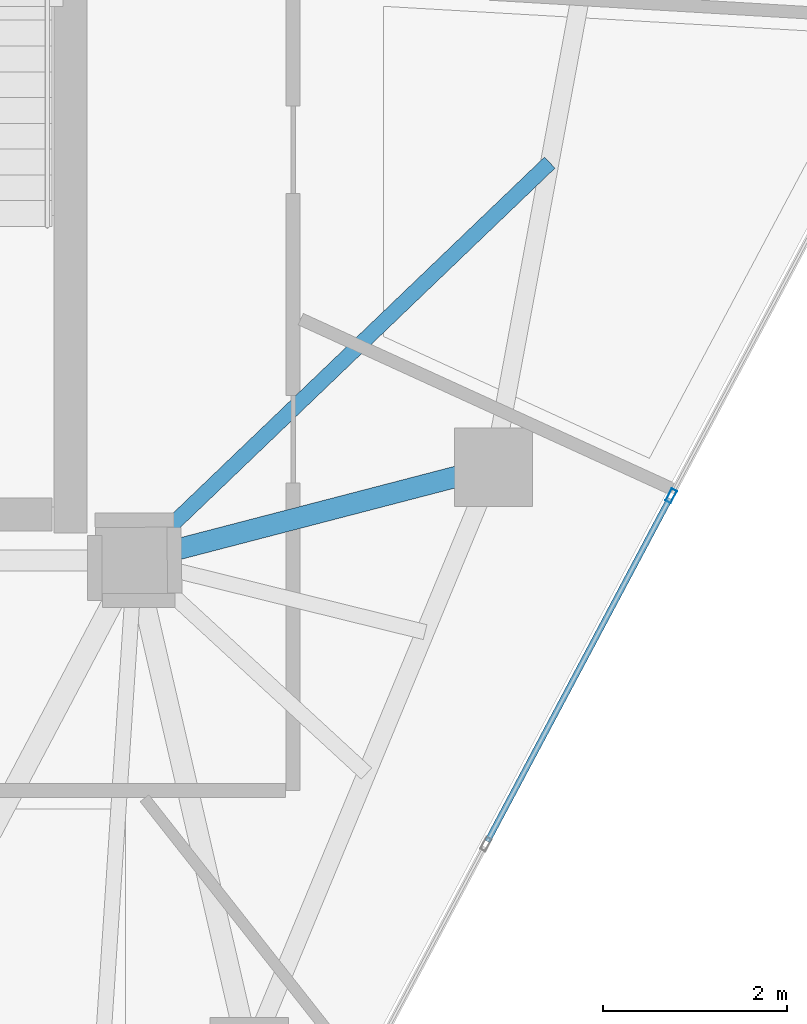
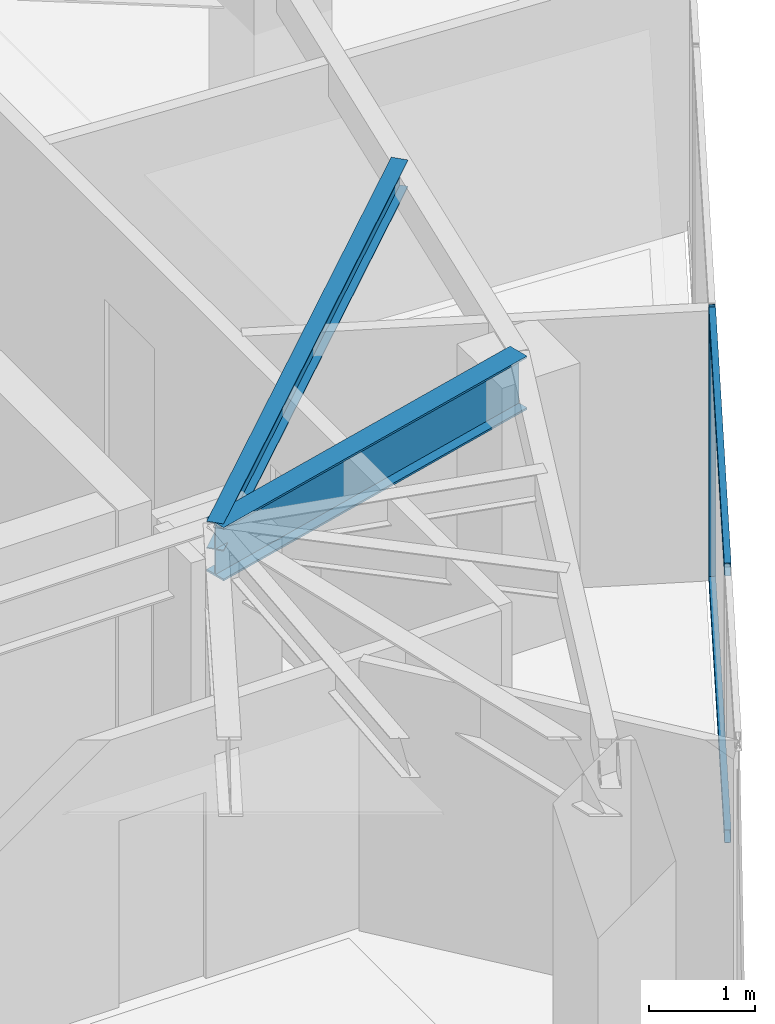
# One storey, part 7 of 19: 3 members, 2 beams, 1 element without a shape of its own.
"""IFC4 building model written with IfcOpenShell, lengths in metres."""

import ifcopenshell
import ifcopenshell.guid

model = None  # the IFC model being written
_history = None  # IfcOwnerHistory: only IFC2X3 demands one
_inside = {}  # id of a spatial element -> (the spatial element, [elements in it])
_under = {}  # id of a project, library or spatial element -> (it, [spatial elements below it])
_declared = {}  # id of a project -> (the project, [libraries it declares])
_typed = {}  # id of a type object -> (the type object, [elements of that type])
_made_of = {}  # id of a material, layer set ... -> (it, [elements and type objects made of it])


def new_model(schema):
    """Start an empty IFC model of exactly this schema.

    Asked for "IFC4X3", IfcOpenShell would pick the latest addendum, in which some entities
    have other attributes; the version numbers below select the first issue.
    IFC2X3 requires an IfcOwnerHistory on every rooted entity: one is made here for all.
    """
    global model, _history
    if schema == "IFC4X3":
        model = ifcopenshell.file(schema_version=(4, 3, 0, 0))
    else:
        model = ifcopenshell.file(schema=schema)
    _inside.clear()
    _under.clear()
    _declared.clear()
    _typed.clear()
    _made_of.clear()
    _history = None
    if model.schema == "IFC2X3":
        org = make("IfcOrganization", Name="unknown")
        user = make(
            "IfcPersonAndOrganization",
            ThePerson=make("IfcPerson", FamilyName="unknown"),
            TheOrganization=org,
        )
        app = make(
            "IfcApplication",
            ApplicationDeveloper=org,
            Version="unknown",
            ApplicationFullName="unknown",
            ApplicationIdentifier="unknown",
        )
        _history = make(
            "IfcOwnerHistory",
            OwningUser=user,
            OwningApplication=app,
            ChangeAction="ADDED",
            CreationDate=0,
        )
    return model


def make(cls, **values):
    """One entity of the class cls with the attributes given. An attribute that is None is left unset."""
    return model.create_entity(
        cls, **{name: value for name, value in values.items() if value is not None}
    )


def rooted(cls, **values):
    """An entity with a GlobalId (a new one), such as an element, a storey or a relation."""
    return make(cls, GlobalId=ifcopenshell.guid.new(), OwnerHistory=_history, **values)


def si_unit(unit_type, name, prefix=None):
    """IfcSIUnit, for example si_unit("LENGTHUNIT", "METRE", prefix="MILLI")."""
    return make("IfcSIUnit", UnitType=unit_type, Prefix=prefix, Name=name)


def assignment(units):
    """IfcUnitAssignment: the units of a project."""
    return None if units is None else make("IfcUnitAssignment", Units=units)


def point(xyz):
    """IfcCartesianPoint."""
    return None if xyz is None else make("IfcCartesianPoint", Coordinates=xyz)


def direction(xyz):
    """IfcDirection."""
    return None if xyz is None else make("IfcDirection", DirectionRatios=xyz)


def frame(location, z_axis=None, x_axis=None):
    """IfcAxis2Placement3D, a coordinate frame: its origin and axes. An axis left out is left unset."""
    return make(
        "IfcAxis2Placement3D",
        Location=point(location),
        Axis=direction(z_axis),
        RefDirection=direction(x_axis),
    )


def frame_2d(location, x_axis=None):
    """IfcAxis2Placement2D, a coordinate frame in the plane: its origin and x axis."""
    return make(
        "IfcAxis2Placement2D", Location=point(location), RefDirection=direction(x_axis)
    )


def origin():
    """The frame at (0, 0, 0) with its axes left unset."""
    return frame((0.0, 0.0, 0.0))


def origin_2d():
    """The frame at (0, 0) in the plane with its x axis left unset."""
    return frame_2d((0.0, 0.0))


def place(relative_to, where):
    """IfcLocalPlacement: puts the frame where relative to a parent placement (None: the world)."""
    return make(
        "IfcLocalPlacement", PlacementRelTo=relative_to, RelativePlacement=where
    )


def context(
    kind, dimensions, precision=None, world=None, true_north=None, identifier=None
):
    """IfcGeometricRepresentationContext, for example the 3D "Model" context."""
    return make(
        "IfcGeometricRepresentationContext",
        ContextIdentifier=identifier,
        ContextType=kind,
        CoordinateSpaceDimension=dimensions,
        Precision=precision,
        WorldCoordinateSystem=world,
        TrueNorth=true_north,
    )


def subcontext(parent, identifier, kind, view, scale=None):
    """IfcGeometricRepresentationSubContext, for example "Body" below "Model"."""
    return make(
        "IfcGeometricRepresentationSubContext",
        ContextIdentifier=identifier,
        ContextType=kind,
        ParentContext=parent,
        TargetScale=scale,
        TargetView=view,
    )


def project(units=None, contexts=None):
    """IfcProject with its units and contexts."""
    return rooted(
        "IfcProject",
        Name="project",
        RepresentationContexts=contexts,
        UnitsInContext=assignment(units),
    )


def spatial(cls, under=None, at=None, **own):
    """A site, building, storey or space (cls), placed at a placement, below another one or the project."""
    s = rooted(cls, ObjectPlacement=at, **own)
    if under is not None:
        _under.setdefault(under.id(), (under, []))[1].append(s)
    return s


def profile(cls, at=None, kind="AREA", **sizes):
    """A parametric profile (cls). Its sizes go by their IFC names, for example OverallWidth=200.0."""
    return make(cls, ProfileType=kind, Position=at, **sizes)


def hollow_rectangle(**sizes):
    """IfcRectangleHollowProfileDef."""
    return profile("IfcRectangleHollowProfileDef", **sizes)


def i_section(**sizes):
    """IfcIShapeProfileDef."""
    return profile("IfcIShapeProfileDef", **sizes)


def extrude(swept, where, along, depth):
    """IfcExtrudedAreaSolid: the profile swept, set in the frame where, extruded along a direction by depth."""
    return make(
        "IfcExtrudedAreaSolid",
        SweptArea=swept,
        Position=where,
        ExtrudedDirection=direction(along),
        Depth=depth,
    )


def shape(context_of_items, identifier, shape_type, items):
    """IfcShapeRepresentation: the items that make up one representation, for example the "Body"."""
    return make(
        "IfcShapeRepresentation",
        ContextOfItems=context_of_items,
        RepresentationIdentifier=identifier,
        RepresentationType=shape_type,
        Items=items,
    )


def source(mapping_origin, context_of_items, identifier, shape_type, items):
    """IfcRepresentationMap: a shape defined once, which mapped items show again and again."""
    return make(
        "IfcRepresentationMap",
        MappingOrigin=mapping_origin,
        MappedRepresentation=shape(context_of_items, identifier, shape_type, items),
    )


def transform(
    local_origin,
    x_axis=None,
    y_axis=None,
    z_axis=None,
    scale=None,
    scale2=None,
    scale3=None,
    uniform=True,
):
    """IfcCartesianTransformationOperator3D, or its non-uniform kind. x_axis, y_axis, z_axis: its Axis1, 2, 3."""
    if uniform:
        return make(
            "IfcCartesianTransformationOperator3D",
            Axis1=direction(x_axis),
            Axis2=direction(y_axis),
            LocalOrigin=point(local_origin),
            Scale=scale,
            Axis3=direction(z_axis),
        )
    return make(
        "IfcCartesianTransformationOperator3DnonUniform",
        Axis1=direction(x_axis),
        Axis2=direction(y_axis),
        LocalOrigin=point(local_origin),
        Scale=scale,
        Axis3=direction(z_axis),
        Scale2=scale2,
        Scale3=scale3,
    )


def mapped(mapping_source, mapping_target):
    """IfcMappedItem: shows the shape of a source again, moved by a transform."""
    return make(
        "IfcMappedItem", MappingSource=mapping_source, MappingTarget=mapping_target
    )


def material(Name=None, Category=None):
    """IfcMaterial."""
    return make("IfcMaterial", Name=Name, Category=Category)


def layer(
    of_material, thickness, ventilated=None, Name=None, Category=None, Priority=None
):
    """IfcMaterialLayer: one layer of a wall or slab, of a material (None: an air gap)."""
    return make(
        "IfcMaterialLayer",
        Material=of_material,
        LayerThickness=thickness,
        IsVentilated=ventilated,
        Name=Name,
        Category=Category,
        Priority=Priority,
    )


def layer_set(layers, Name=None):
    """IfcMaterialLayerSet."""
    return make("IfcMaterialLayerSet", MaterialLayers=layers, LayerSetName=Name)


def material_profile(
    of_material, cross_section, Name=None, Category=None, Priority=None
):
    """IfcMaterialProfile: a cross section and its material."""
    return make(
        "IfcMaterialProfile",
        Name=Name,
        Material=of_material,
        Profile=cross_section,
        Priority=Priority,
        Category=Category,
    )


def profile_set(profiles, Name=None, composite=None):
    """IfcMaterialProfileSet."""
    return make(
        "IfcMaterialProfileSet",
        Name=Name,
        MaterialProfiles=profiles,
        CompositeProfile=composite,
    )


def made_of(thing, what):
    """Note that an element or type object is made of a material, layer set ...; save() writes the relation."""
    if what is not None:
        _made_of.setdefault(what.id(), (what, []))[1].append(thing)
    return thing


def type_object(cls, material=None, **own):
    """A type object (cls), such as IfcWallType, which elements share."""
    return made_of(rooted(cls, **own), material)


def type_shapes(of_type, sources):
    """Give a type object the sources (RepresentationMaps) that its elements show as mapped items."""
    of_type.RepresentationMaps = sources


def element(
    cls,
    number,
    at=None,
    inside=None,
    cuts=None,
    type_object=None,
    material=None,
    context=None,
    identifier="Body",
    shape_type=None,
    held_by="IfcProductDefinitionShape",
    body=None,
    shapes=None,
    **own,
):
    """One element of the class cls, such as IfcWall. Its Tag is "e" and its number.

    at: its placement. inside: the storey or other place that contains it. cuts: it is an
    opening in that element (IfcRelVoidsElement). A single representation is given by context,
    identifier, shape_type and body (its items); several are given by shapes. held_by: the class
    of the entity that holds the representations. save() writes the other relations.
    """
    e = rooted(cls, Tag="e%d" % number, ObjectPlacement=at, **own)
    if body is not None:
        shapes = [shape(context, identifier, shape_type, body)]
    if shapes is not None:
        e.Representation = make(held_by, Representations=shapes)
    if inside is not None:
        _inside.setdefault(inside.id(), (inside, []))[1].append(e)
    if cuts is not None:
        rooted(
            "IfcRelVoidsElement", RelatingBuildingElement=cuts, RelatedOpeningElement=e
        )
    if type_object is not None:
        _typed.setdefault(type_object.id(), (type_object, []))[1].append(e)
    return made_of(e, material)


def aggregate(whole, parts):
    """IfcRelAggregates: a whole, such as a stair, and the parts it consists of."""
    return rooted("IfcRelAggregates", RelatingObject=whole, RelatedObjects=parts)


def save(model, path):
    """Write the relations noted so far, then the file.

    IfcRelAggregates (storeys below a building ...), IfcRelContainedInSpatialStructure (elements
    in a storey), IfcRelDefinesByType, IfcRelAssociatesMaterial and IfcRelDeclares: one each for
    every whole, place, type object, material and project.
    """
    for whole, parts in _under.values():
        aggregate(whole, parts)
    for where, things in _inside.values():
        rooted(
            "IfcRelContainedInSpatialStructure",
            RelatedElements=things,
            RelatingStructure=where,
        )
    for kind, things in _typed.values():
        rooted("IfcRelDefinesByType", RelatedObjects=things, RelatingType=kind)
    for what, things in _made_of.values():
        rooted("IfcRelAssociatesMaterial", RelatedObjects=things, RelatingMaterial=what)
    for by, libraries in _declared.values():
        rooted("IfcRelDeclares", RelatingContext=by, RelatedDefinitions=libraries)
    model.write(path)


model = new_model("IFC4")

# Units and contexts
model_context = context("Model", 3, precision=1e-05, world=origin(), true_north=direction((0.0, 1.0)))
body_context = subcontext(model_context, "Body", "Model", "MODEL_VIEW")
ifc_project = project(units=[si_unit("LENGTHUNIT", "METRE"), si_unit("AREAUNIT", "SQUARE_METRE"), si_unit("VOLUMEUNIT", "CUBIC_METRE"), si_unit("PLANEANGLEUNIT", "RADIAN"), si_unit("MASSUNIT", "GRAM", prefix="KILO")], contexts=[model_context])

# Site, building, storey
site_placement = place(None, origin())
site = spatial("IfcSite", under=ifc_project, at=site_placement, CompositionType="ELEMENT")
building_placement = place(site_placement, origin())
building = spatial("IfcBuilding", under=site, at=building_placement, Name="Talar Marvaseh", CompositionType="ELEMENT")
storey_placement = place(building_placement, frame((0.0, 0.0, 288.39990234375)))
storey = spatial("IfcBuildingStorey", under=building, at=storey_placement, Name="L77", CompositionType="ELEMENT", Elevation=288.39990234375)

# Beams
ifc_material_1 = material(Name="Steel S355", Category="steel")
ifc_material_profile_1 = material_profile(ifc_material_1, i_section(OverallWidth=0.166015625, OverallDepth=0.31298828125, WebThickness=0.006591796875, FlangeThickness=0.01123046875, at=origin_2d()), Name="W310x45")
ifc_profile_set_1 = profile_set([ifc_material_profile_1], Name="Steel S355")
beam_type_1 = type_object("IfcBeamType", Name="Zone 3 Secondary Floor Joist W310x45", PredefinedType="JOIST", material=ifc_profile_set_1)
beam_1_placement = place(storey_placement, frame((37.80859375, 29.822265625, 2.983642578125), z_axis=(-0.721862081493, -0.692036946486, 0.0), x_axis=(0.692036946486, -0.721862081493, 0.0)))
element("IfcBeam", 1, at=beam_1_placement, inside=storey, type_object=beam_type_1, Name="L77 Zone 3 Secondary Floor Joist W310x45", PredefinedType="JOIST", context=body_context, shape_type="SweptSolid", body=[
    extrude(i_section(OverallWidth=0.166015625, OverallDepth=0.31298828125, WebThickness=0.006591796875, FlangeThickness=0.01123046875, at=origin_2d()), origin(), (0.0, 0.0, 1.0), 6.24560546875),
])
ifc_material_profile_2 = material_profile(ifc_material_1, i_section(OverallWidth=0.22998046875, OverallDepth=0.616943359375, WebThickness=0.01318359375, FlangeThickness=0.022216796875, at=origin_2d()), Name="W610x140")
ifc_profile_set_2 = profile_set([ifc_material_profile_2], Name="Steel S355")
beam_type_2 = type_object("IfcBeamType", Name="Zone 4 Radial Floor Girder W610x140", PredefinedType="BEAM", material=ifc_profile_set_2)
beam_2_placement = place(storey_placement, frame((37.197021484375, 26.513916015625, 2.83154296875), z_axis=(-0.967779967746, -0.251797406719, 0.0), x_axis=(0.251797406719, -0.967779967746, 0.0)))
element("IfcBeam", 2, at=beam_2_placement, inside=storey, type_object=beam_type_2, Name="L77 Zone 4 Radial Floor Girder W610x140", PredefinedType="BEAM", context=body_context, shape_type="SweptSolid", body=[
    extrude(i_section(OverallWidth=0.22998046875, OverallDepth=0.616943359375, WebThickness=0.01318359375, FlangeThickness=0.022216796875, at=origin_2d()), origin(), (0.0, 0.0, 1.0), 4.026611328125),
])

# Curtain wall, members
ifc_material_2 = material(Name="Architectural Aluminium", Category="aluminium")
ifc_layer = layer(ifc_material_2, 0.179931640625)
ifc_layer_set = layer_set([ifc_layer], Name="Architectural Aluminium")
curtain_wall_type = type_object("IfcCurtainWallType", Name="Unitised High-Wind Sky Curtain Wall Z4", PredefinedType="NOTDEFINED", material=ifc_layer_set)
curtain_wall_placement = place(storey_placement, origin())
curtain_wall = element("IfcCurtainWall", 3, at=curtain_wall_placement, inside=storey, type_object=curtain_wall_type, Name="L77 Unitised High-Wind Sky Curtain Wall Z4", PredefinedType="NOTDEFINED")
ifc_material_profile_3 = material_profile(ifc_material_2, hollow_rectangle(XDim=0.06494140625, YDim=0.14990234375, WallThickness=0.00390625, at=origin_2d()), Name="RHS150x65x4")
ifc_profile_set_3 = profile_set([ifc_material_profile_3], Name="Architectural Aluminium")
member_type_1 = type_object("IfcMemberType", Name="Unitised Curtain Wall Slim Transom RHS150x65x4", PredefinedType="USERDEFINED", material=ifc_profile_set_3)
shared_shape_1 = source(origin(), body_context, "Body", "SweptSolid", [
    extrude(hollow_rectangle(XDim=0.06494140625, YDim=0.14990234375, WallThickness=0.00390625, at=origin_2d()), origin(), (0.0, 0.0, 1.0), 4.22119140625),
])
type_shapes(member_type_1, [shared_shape_1])
member_1_placement = place(storey_placement, frame((39.11279296875, 26.173583984375, 0.03271484375), z_axis=(-0.469627360459, -0.882864736134, 0.0), x_axis=(0.882864736134, -0.469627360459, 0.0)))
member_1 = element("IfcMember", 4, at=member_1_placement, type_object=member_type_1, Name="CW-Z4 transom 3.1", ObjectType="TRANSOM", PredefinedType="USERDEFINED", context=body_context, shape_type="MappedRepresentation", body=[
    mapped(shared_shape_1, transform((0.0, 0.0, 0.0), x_axis=(1.0, 0.0, 0.0), y_axis=(0.0, 1.0, 0.0), z_axis=(0.0, 0.0, 1.0), scale=1.0)),
])
member_2_placement = place(storey_placement, frame((39.11279296875, 26.173583984375, 3.107666015625), z_axis=(-0.469627360459, -0.882864736134, 0.0), x_axis=(0.882864736134, -0.469627360459, 0.0)))
member_2 = element("IfcMember", 5, at=member_2_placement, type_object=member_type_1, Name="CW-Z4 transom 3.2", ObjectType="TRANSOM", PredefinedType="USERDEFINED", context=body_context, shape_type="MappedRepresentation", body=[
    mapped(shared_shape_1, transform((0.0, 0.0, 0.0), x_axis=(1.0, 0.0, 0.0), y_axis=(0.0, 1.0, 0.0), z_axis=(0.0, 0.0, 1.0), scale=1.0)),
])
ifc_material_profile_4 = material_profile(ifc_material_2, hollow_rectangle(XDim=0.06494140625, YDim=0.14990234375, WallThickness=0.00390625, at=origin_2d()), Name="RHS150x65x4")
ifc_profile_set_4 = profile_set([ifc_material_profile_4], Name="Architectural Aluminium")
member_type_2 = type_object("IfcMemberType", Name="Unitised Curtain Wall Slim Mullion RHS150x65x4", PredefinedType="MULLION", material=ifc_profile_set_4)
shared_shape_2 = source(origin(), body_context, "Body", "SweptSolid", [
    extrude(hollow_rectangle(XDim=0.06494140625, YDim=0.14990234375, WallThickness=0.00390625, at=origin_2d()), origin(), (0.0, 0.0, 1.0), 3.14013671875),
])
type_shapes(member_type_2, [shared_shape_2])
member_3_placement = place(storey_placement, frame((39.1279296875, 26.202392578125, 0.0), z_axis=(0.0, 0.0, 1.0), x_axis=(0.882877122718, -0.469604073854, 0.0)))
member_3 = element("IfcMember", 6, at=member_3_placement, type_object=member_type_2, Name="CW-Z4 mullion 3", PredefinedType="MULLION", context=body_context, shape_type="MappedRepresentation", body=[
    mapped(shared_shape_2, transform((0.0, 0.0, 0.0), x_axis=(1.0, 0.0, 0.0), y_axis=(0.0, 1.0, 0.0), z_axis=(0.0, 0.0, 1.0), scale=1.0)),
])
aggregate(curtain_wall, [member_3, member_1, member_2])

save(model, "model.ifc")
